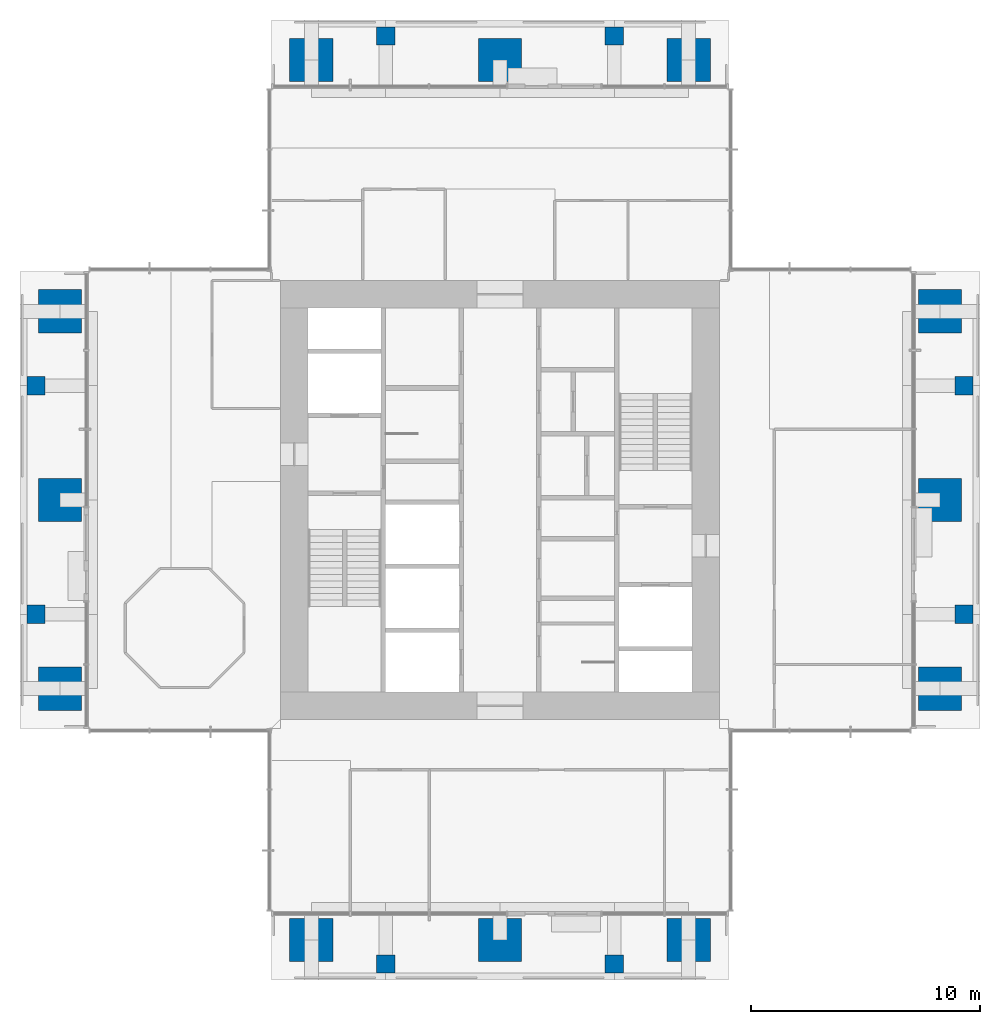
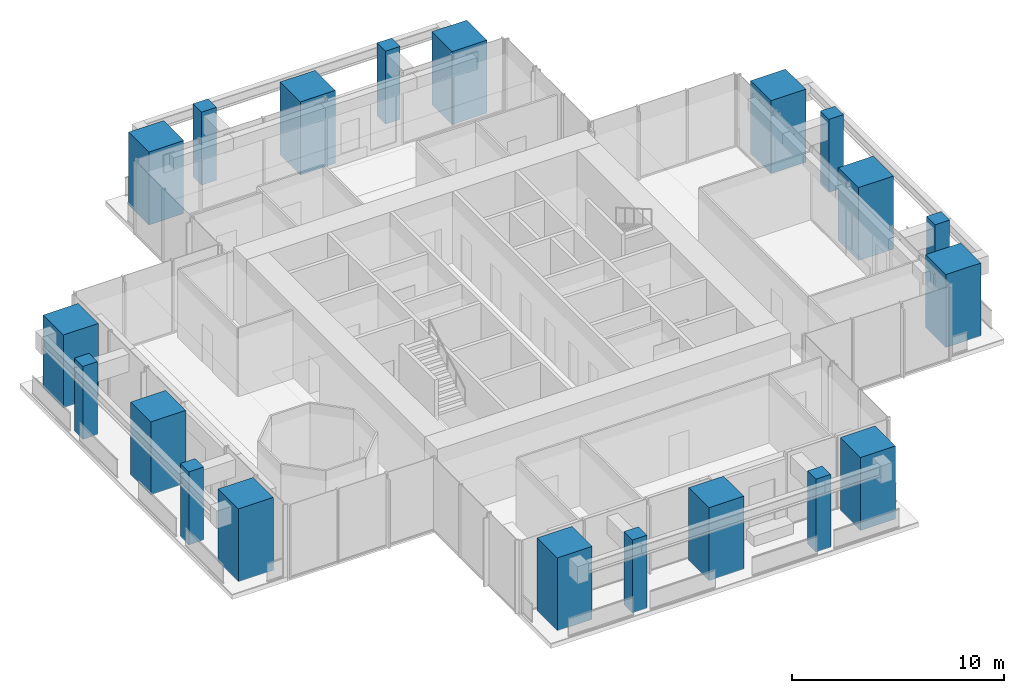
# One storey, part 1 of 12: 20 columns.
"""IFC4 building model written with IfcOpenShell, lengths in metres."""

from ifc_helpers import new_model, si_unit, direction, frame, origin, origin_2d, place, context, subcontext, project, spatial, rectangle, extrude, material, material_profile, profile_set, type_object, element, save


model = new_model("IFC4")

# Units and contexts
model_context = context("Model", 3, precision=1e-05, world=origin(), true_north=direction((0.0, 1.0)))
body_context = subcontext(model_context, "Body", "Model", "MODEL_VIEW")
ifc_project = project(units=[si_unit("LENGTHUNIT", "METRE"), si_unit("AREAUNIT", "SQUARE_METRE"), si_unit("VOLUMEUNIT", "CUBIC_METRE"), si_unit("PLANEANGLEUNIT", "RADIAN"), si_unit("MASSUNIT", "GRAM", prefix="KILO")], contexts=[model_context])

# Site, building, storey
site_placement = place(None, origin())
site = spatial("IfcSite", under=ifc_project, at=site_placement, CompositionType="ELEMENT")
building_placement = place(site_placement, origin())
building = spatial("IfcBuilding", under=site, at=building_placement, Name="Svetlomir Tower", CompositionType="ELEMENT")
storey_placement = place(building_placement, frame((0.0, 0.0, 269.199951171875)))
storey = spatial("IfcBuildingStorey", under=building, at=storey_placement, Name="L64", CompositionType="ELEMENT", Elevation=269.199951171875)

# Columns
ifc_material_1 = material(Name="Concrete C60/75", Category="concrete")
ifc_material_profile_1 = material_profile(ifc_material_1, rectangle(XDim=1.89990234375, YDim=1.89990234375, at=origin_2d()), Name="RC 1900x1900")
ifc_profile_set_1 = profile_set([ifc_material_profile_1], Name="Concrete C60/75")
column_type_1 = type_object("IfcColumnType", Name="COLUMN RC 1900x1900", PredefinedType="COLUMN", material=ifc_profile_set_1)
for number, where, z_axis, x_axis, name in (
    (1, (12.75, 1.75, 0.0), (0.0, 0.0, 1.0), (1.0, 0.0, 0.0), "Column 11/0 L64"),
    (2, (21.0, 1.75, 0.0), (0.0, 0.0, 1.0), (1.0, 0.0, 0.0), "Column 21/0 L64"),
    (3, (29.25, 1.75, 0.0), (0.0, 0.0, 1.0), (1.0, 0.0, 0.0), "Column 31/0 L64"),
    (4, (1.75, 12.75, 0.0), (0.0, 0.0, 1.0), (1.0, 0.0, 0.0), "Column 0/11 L64"),
    (5, (40.25, 12.75, 0.0), (0.0, 0.0, 1.0), (1.0, 0.0, 0.0), "Column 42/11 L64"),
    (6, (1.75, 21.0, 0.0), (0.0, 0.0, 1.0), (1.0, 0.0, 0.0), "Column 0/21 L64"),
    (7, (40.25, 21.0, 0.0), (0.0, 0.0, 1.0), (1.0, 0.0, 0.0), "Column 42/21 L64"),
    (8, (1.75, 29.25, 0.0), (0.0, 0.0, 1.0), (1.0, 0.0, 0.0), "Column 0/31 L64"),
    (9, (40.25, 29.25, 0.0), (0.0, 0.0, 1.0), (1.0, 0.0, 0.0), "Column 42/31 L64"),
    (10, (12.75, 40.25, 0.0), (0.0, 0.0, 1.0), (1.0, 0.0, 0.0), "Column 11/42 L64"),
    (11, (21.0, 40.25, 0.0), (0.0, 0.0, 1.0), (1.0, 0.0, 0.0), "Column 21/42 L64"),
    (12, (29.25, 40.25, 0.0), (0.0, 0.0, 1.0), (1.0, 0.0, 0.0), "Column 31/42 L64"),
):
    element("IfcColumn", number, at=place(storey_placement, frame(where, z_axis=z_axis, x_axis=x_axis)), inside=storey, type_object=column_type_1, Name=name, PredefinedType="COLUMN", context=body_context, shape_type="SweptSolid", body=[
        extrude(rectangle(XDim=1.89990234375, YDim=1.89990234375, at=origin_2d()), origin(), (0.0, 0.0, 1.0), 4.199951171875),
    ])
ifc_material_2 = material(Name="Concrete C60/75", Category="concrete")
ifc_material_profile_2 = material_profile(ifc_material_2, rectangle(XDim=0.800048828125, YDim=0.800048828125, at=origin_2d()), Name="RC 800x800")
ifc_profile_set_2 = profile_set([ifc_material_profile_2], Name="Concrete C60/75")
column_type_2 = type_object("IfcColumnType", Name="COLUMN RC 800x800", PredefinedType="COLUMN", material=ifc_profile_set_2)
for number, where, z_axis, x_axis, name in (
    (13, (16.0, 0.699951171875, 0.0), (0.0, 0.0, 1.0), (1.0, 0.0, 0.0), "Column 16/0 L64"),
    (14, (26.0, 0.699951171875, 0.0), (0.0, 0.0, 1.0), (1.0, 0.0, 0.0), "Column 26/0 L64"),
    (15, (0.699951171875, 16.0, 0.0), (0.0, 0.0, 1.0), (1.0, 0.0, 0.0), "Column 0/16 L64"),
    (16, (41.300048828125, 16.0, 0.0), (0.0, 0.0, 1.0), (1.0, 0.0, 0.0), "Column 42/16 L64"),
    (17, (0.699951171875, 26.0, 0.0), (0.0, 0.0, 1.0), (1.0, 0.0, 0.0), "Column 0/26 L64"),
    (18, (41.300048828125, 26.0, 0.0), (0.0, 0.0, 1.0), (1.0, 0.0, 0.0), "Column 42/26 L64"),
    (19, (16.0, 41.300048828125, 0.0), (0.0, 0.0, 1.0), (1.0, 0.0, 0.0), "Column 16/42 L64"),
    (20, (26.0, 41.300048828125, 0.0), (0.0, 0.0, 1.0), (1.0, 0.0, 0.0), "Column 26/42 L64"),
):
    element("IfcColumn", number, at=place(storey_placement, frame(where, z_axis=z_axis, x_axis=x_axis)), inside=storey, type_object=column_type_2, Name=name, PredefinedType="COLUMN", context=body_context, shape_type="SweptSolid", body=[
        extrude(rectangle(XDim=0.800048828125, YDim=0.800048828125, at=origin_2d()), origin(), (0.0, 0.0, 1.0), 4.199951171875),
    ])

save(model, "model.ifc")
